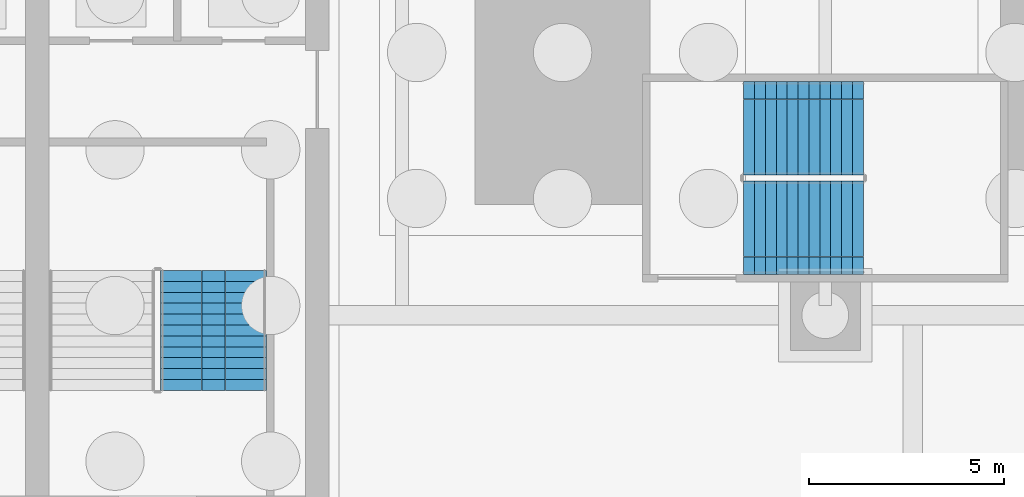
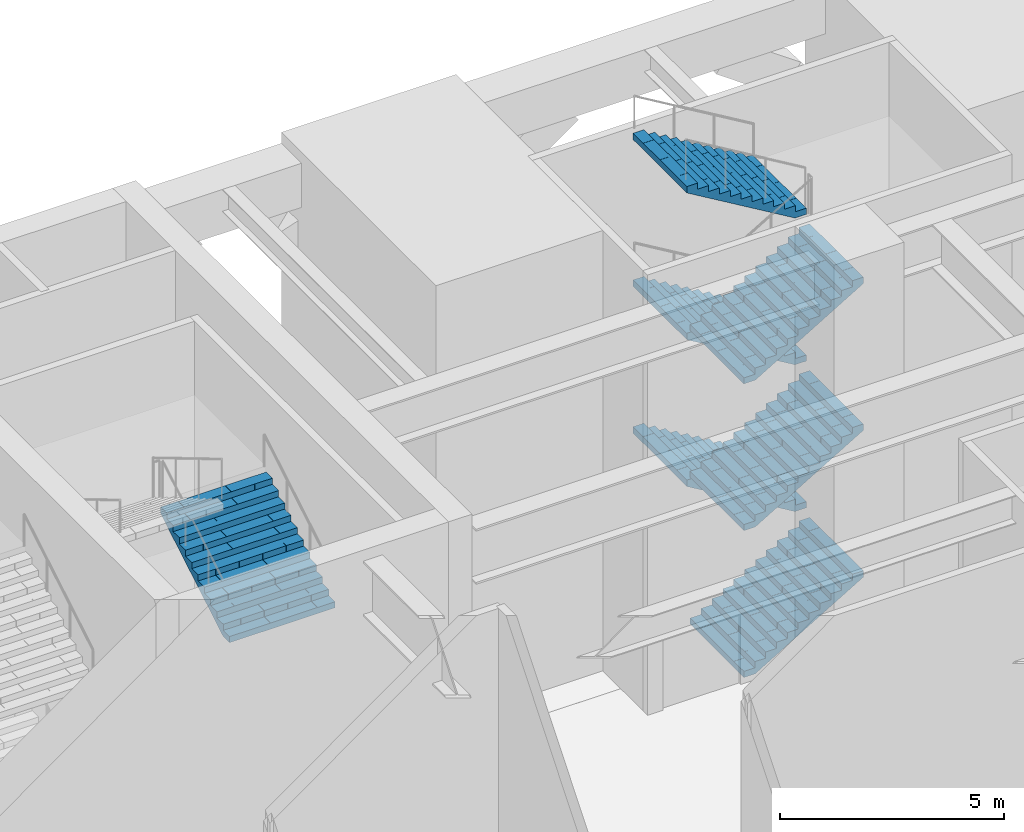
# One storey, part 21 of 34: 7 stair flights, 2 elements without a shape of their own.
"""IFC4 building model written with IfcOpenShell, lengths in metres."""

import ifcopenshell
import ifcopenshell.guid

model = None  # the IFC model being written
_history = None  # IfcOwnerHistory: only IFC2X3 demands one
_inside = {}  # id of a spatial element -> (the spatial element, [elements in it])
_under = {}  # id of a project, library or spatial element -> (it, [spatial elements below it])
_declared = {}  # id of a project -> (the project, [libraries it declares])
_typed = {}  # id of a type object -> (the type object, [elements of that type])
_made_of = {}  # id of a material, layer set ... -> (it, [elements and type objects made of it])


def new_model(schema):
    """Start an empty IFC model of exactly this schema.

    Asked for "IFC4X3", IfcOpenShell would pick the latest addendum, in which some entities
    have other attributes; the version numbers below select the first issue.
    IFC2X3 requires an IfcOwnerHistory on every rooted entity: one is made here for all.
    """
    global model, _history
    if schema == "IFC4X3":
        model = ifcopenshell.file(schema_version=(4, 3, 0, 0))
    else:
        model = ifcopenshell.file(schema=schema)
    _inside.clear()
    _under.clear()
    _declared.clear()
    _typed.clear()
    _made_of.clear()
    _history = None
    if model.schema == "IFC2X3":
        org = make("IfcOrganization", Name="unknown")
        user = make(
            "IfcPersonAndOrganization",
            ThePerson=make("IfcPerson", FamilyName="unknown"),
            TheOrganization=org,
        )
        app = make(
            "IfcApplication",
            ApplicationDeveloper=org,
            Version="unknown",
            ApplicationFullName="unknown",
            ApplicationIdentifier="unknown",
        )
        _history = make(
            "IfcOwnerHistory",
            OwningUser=user,
            OwningApplication=app,
            ChangeAction="ADDED",
            CreationDate=0,
        )
    return model


def make(cls, **values):
    """One entity of the class cls with the attributes given. An attribute that is None is left unset."""
    return model.create_entity(
        cls, **{name: value for name, value in values.items() if value is not None}
    )


def rooted(cls, **values):
    """An entity with a GlobalId (a new one), such as an element, a storey or a relation."""
    return make(cls, GlobalId=ifcopenshell.guid.new(), OwnerHistory=_history, **values)


def si_unit(unit_type, name, prefix=None):
    """IfcSIUnit, for example si_unit("LENGTHUNIT", "METRE", prefix="MILLI")."""
    return make("IfcSIUnit", UnitType=unit_type, Prefix=prefix, Name=name)


def assignment(units):
    """IfcUnitAssignment: the units of a project."""
    return None if units is None else make("IfcUnitAssignment", Units=units)


def point(xyz):
    """IfcCartesianPoint."""
    return None if xyz is None else make("IfcCartesianPoint", Coordinates=xyz)


def direction(xyz):
    """IfcDirection."""
    return None if xyz is None else make("IfcDirection", DirectionRatios=xyz)


def frame(location, z_axis=None, x_axis=None):
    """IfcAxis2Placement3D, a coordinate frame: its origin and axes. An axis left out is left unset."""
    return make(
        "IfcAxis2Placement3D",
        Location=point(location),
        Axis=direction(z_axis),
        RefDirection=direction(x_axis),
    )


def origin():
    """The frame at (0, 0, 0) with its axes left unset."""
    return frame((0.0, 0.0, 0.0))


def place(relative_to, where):
    """IfcLocalPlacement: puts the frame where relative to a parent placement (None: the world)."""
    return make(
        "IfcLocalPlacement", PlacementRelTo=relative_to, RelativePlacement=where
    )


def context(
    kind, dimensions, precision=None, world=None, true_north=None, identifier=None
):
    """IfcGeometricRepresentationContext, for example the 3D "Model" context."""
    return make(
        "IfcGeometricRepresentationContext",
        ContextIdentifier=identifier,
        ContextType=kind,
        CoordinateSpaceDimension=dimensions,
        Precision=precision,
        WorldCoordinateSystem=world,
        TrueNorth=true_north,
    )


def subcontext(parent, identifier, kind, view, scale=None):
    """IfcGeometricRepresentationSubContext, for example "Body" below "Model"."""
    return make(
        "IfcGeometricRepresentationSubContext",
        ContextIdentifier=identifier,
        ContextType=kind,
        ParentContext=parent,
        TargetScale=scale,
        TargetView=view,
    )


def project(units=None, contexts=None):
    """IfcProject with its units and contexts."""
    return rooted(
        "IfcProject",
        Name="project",
        RepresentationContexts=contexts,
        UnitsInContext=assignment(units),
    )


def spatial(cls, under=None, at=None, **own):
    """A site, building, storey or space (cls), placed at a placement, below another one or the project."""
    s = rooted(cls, ObjectPlacement=at, **own)
    if under is not None:
        _under.setdefault(under.id(), (under, []))[1].append(s)
    return s


def polyline(points):
    """IfcPolyline through the points."""
    return make("IfcPolyline", Points=[point(p) for p in points])


def outline(outer, holes=None, kind="AREA"):
    """IfcArbitraryClosedProfileDef: a profile drawn as a closed curve; with holes, ...WithVoids."""
    if holes is None:
        return make("IfcArbitraryClosedProfileDef", ProfileType=kind, OuterCurve=outer)
    return make(
        "IfcArbitraryProfileDefWithVoids",
        ProfileType=kind,
        OuterCurve=outer,
        InnerCurves=holes,
    )


def extrude(swept, where, along, depth):
    """IfcExtrudedAreaSolid: the profile swept, set in the frame where, extruded along a direction by depth."""
    return make(
        "IfcExtrudedAreaSolid",
        SweptArea=swept,
        Position=where,
        ExtrudedDirection=direction(along),
        Depth=depth,
    )


def shape(context_of_items, identifier, shape_type, items):
    """IfcShapeRepresentation: the items that make up one representation, for example the "Body"."""
    return make(
        "IfcShapeRepresentation",
        ContextOfItems=context_of_items,
        RepresentationIdentifier=identifier,
        RepresentationType=shape_type,
        Items=items,
    )


def material(Name=None, Category=None):
    """IfcMaterial."""
    return make("IfcMaterial", Name=Name, Category=Category)


def made_of(thing, what):
    """Note that an element or type object is made of a material, layer set ...; save() writes the relation."""
    if what is not None:
        _made_of.setdefault(what.id(), (what, []))[1].append(thing)
    return thing


def type_object(cls, material=None, **own):
    """A type object (cls), such as IfcWallType, which elements share."""
    return made_of(rooted(cls, **own), material)


def element(
    cls,
    number,
    at=None,
    inside=None,
    cuts=None,
    type_object=None,
    material=None,
    context=None,
    identifier="Body",
    shape_type=None,
    held_by="IfcProductDefinitionShape",
    body=None,
    shapes=None,
    **own,
):
    """One element of the class cls, such as IfcWall. Its Tag is "e" and its number.

    at: its placement. inside: the storey or other place that contains it. cuts: it is an
    opening in that element (IfcRelVoidsElement). A single representation is given by context,
    identifier, shape_type and body (its items); several are given by shapes. held_by: the class
    of the entity that holds the representations. save() writes the other relations.
    """
    e = rooted(cls, Tag="e%d" % number, ObjectPlacement=at, **own)
    if body is not None:
        shapes = [shape(context, identifier, shape_type, body)]
    if shapes is not None:
        e.Representation = make(held_by, Representations=shapes)
    if inside is not None:
        _inside.setdefault(inside.id(), (inside, []))[1].append(e)
    if cuts is not None:
        rooted(
            "IfcRelVoidsElement", RelatingBuildingElement=cuts, RelatedOpeningElement=e
        )
    if type_object is not None:
        _typed.setdefault(type_object.id(), (type_object, []))[1].append(e)
    return made_of(e, material)


def aggregate(whole, parts):
    """IfcRelAggregates: a whole, such as a stair, and the parts it consists of."""
    return rooted("IfcRelAggregates", RelatingObject=whole, RelatedObjects=parts)


def save(model, path):
    """Write the relations noted so far, then the file.

    IfcRelAggregates (storeys below a building ...), IfcRelContainedInSpatialStructure (elements
    in a storey), IfcRelDefinesByType, IfcRelAssociatesMaterial and IfcRelDeclares: one each for
    every whole, place, type object, material and project.
    """
    for whole, parts in _under.values():
        aggregate(whole, parts)
    for where, things in _inside.values():
        rooted(
            "IfcRelContainedInSpatialStructure",
            RelatedElements=things,
            RelatingStructure=where,
        )
    for kind, things in _typed.values():
        rooted("IfcRelDefinesByType", RelatedObjects=things, RelatingType=kind)
    for what, things in _made_of.values():
        rooted("IfcRelAssociatesMaterial", RelatedObjects=things, RelatingMaterial=what)
    for by, libraries in _declared.values():
        rooted("IfcRelDeclares", RelatingContext=by, RelatedDefinitions=libraries)
    model.write(path)


model = new_model("IFC4")

# Units and contexts
model_context = context("Model", 3, precision=1e-05, world=origin(), true_north=direction((0.0, 1.0)))
body_context = subcontext(model_context, "Body", "Model", "MODEL_VIEW")
ifc_project = project(units=[si_unit("LENGTHUNIT", "METRE"), si_unit("AREAUNIT", "SQUARE_METRE"), si_unit("VOLUMEUNIT", "CUBIC_METRE"), si_unit("PLANEANGLEUNIT", "RADIAN"), si_unit("MASSUNIT", "GRAM", prefix="KILO")], contexts=[model_context])

# Site, building, storey
site_placement = place(None, origin())
site = spatial("IfcSite", under=ifc_project, at=site_placement, CompositionType="ELEMENT")
building_placement = place(site_placement, origin())
building = spatial("IfcBuilding", under=site, at=building_placement, Name="Corbelhall Arena Tower", CompositionType="ELEMENT")
storey_placement = place(building_placement, origin())
storey = spatial("IfcBuildingStorey", under=building, at=storey_placement, Name="L00", CompositionType="ELEMENT", Elevation=0.0)

# Stair, stair flights
ifc_material = material(Name="Reinforced concrete C40/50", Category="concrete")
stair_type = type_object("IfcStairType", Name="AR-EXIT-STAIR", PredefinedType="HALF_TURN_STAIR", material=ifc_material)
stair_1_placement = place(storey_placement, origin())
stair_1 = element("IfcStair", 1, at=stair_1_placement, inside=storey, type_object=stair_type, Name="L00 exit stair AS9", PredefinedType="HALF_TURN_STAIR")
stair_flight_type = type_object("IfcStairFlightType", Name="AR-EXIT-FLIGHT", PredefinedType="STRAIGHT", material=ifc_material)
stair_flight_1_placement = place(storey_placement, frame((-22.35009765625, 31.5, 0.0), z_axis=(0.0, 0.0, 1.0), x_axis=(1.0, 0.0, 0.0)))
stair_flight_1 = element("IfcStairFlight", 2, at=stair_flight_1_placement, type_object=stair_flight_type, Name="AS9 flight 1", NumberOfRisers=12, NumberOfTreads=11, PredefinedType="STRAIGHT", RiserHeight=0.166666667, TreadLength=0.28, context=body_context, shape_type="SweptSolid", body=[
    extrude(outline(polyline([(0.0, 0.0), (0.0, 0.166748046875), (0.280029296875, 0.166748046875), (0.280029296875, 0.333251953125), (0.56005859375, 0.333251953125), (0.56005859375, 0.5), (0.840087890625, 0.5), (0.840087890625, 0.666748046875), (1.1201171875, 0.666748046875), (1.1201171875, 0.833251953125), (1.39990234375, 0.833251953125), (1.39990234375, 1.0), (1.679931640625, 1.0), (1.679931640625, 1.166748046875), (1.9599609375, 1.166748046875), (1.9599609375, 1.333251953125), (2.239990234375, 1.333251953125), (2.239990234375, 1.5), (2.52001953125, 1.5), (2.52001953125, 1.666748046875), (2.800048828125, 1.666748046875), (2.800048828125, 1.833251953125), (3.080078125, 1.833251953125), (3.080078125, 2.0), (3.080078125, 1.658935546875), (0.29296875, 0.0), (0.0, 0.0)])), frame((0.0, 1.199951171875, 0.0), z_axis=(0.0, -1.0, 0.0), x_axis=(1.0, 0.0, 0.0)), (0.0, 0.0, 1.0), 0.449951171875),
    extrude(outline(polyline([(0.0, 0.0), (0.0, 0.166748046875), (0.280029296875, 0.166748046875), (0.280029296875, 0.333251953125), (0.56005859375, 0.333251953125), (0.56005859375, 0.5), (0.840087890625, 0.5), (0.840087890625, 0.666748046875), (1.1201171875, 0.666748046875), (1.1201171875, 0.833251953125), (1.39990234375, 0.833251953125), (1.39990234375, 1.0), (1.679931640625, 1.0), (1.679931640625, 1.166748046875), (1.9599609375, 1.166748046875), (1.9599609375, 1.333251953125), (2.239990234375, 1.333251953125), (2.239990234375, 1.5), (2.52001953125, 1.5), (2.52001953125, 1.666748046875), (2.800048828125, 1.666748046875), (2.800048828125, 1.833251953125), (3.080078125, 1.833251953125), (3.080078125, 2.0), (3.080078125, 1.658935546875), (0.29296875, 0.0), (0.0, 0.0)])), frame((0.0, 0.745849609375, 0.0), z_axis=(0.0, -1.0, 0.0), x_axis=(1.0, 0.0, 0.0)), (0.0, 0.0, 1.0), 0.743896484375),
    extrude(outline(polyline([(0.0, 0.0), (0.0, 0.166748046875), (0.280029296875, 0.166748046875), (0.280029296875, 0.333251953125), (0.56005859375, 0.333251953125), (0.56005859375, 0.5), (0.840087890625, 0.5), (0.840087890625, 0.666748046875), (1.1201171875, 0.666748046875), (1.1201171875, 0.833251953125), (1.39990234375, 0.833251953125), (1.39990234375, 1.0), (1.679931640625, 1.0), (1.679931640625, 1.166748046875), (1.9599609375, 1.166748046875), (1.9599609375, 1.333251953125), (2.239990234375, 1.333251953125), (2.239990234375, 1.5), (2.52001953125, 1.5), (2.52001953125, 1.666748046875), (2.800048828125, 1.666748046875), (2.800048828125, 1.833251953125), (3.080078125, 1.833251953125), (3.080078125, 2.0), (3.080078125, 1.658935546875), (0.29296875, 0.0), (0.0, 0.0)])), frame((0.0, -0.001953125, 0.0), z_axis=(0.0, -1.0, 0.0), x_axis=(1.0, 0.0, 0.0)), (0.0, 0.0, 1.0), 0.743896484375),
    extrude(outline(polyline([(0.0, 0.0), (0.0, 0.166748046875), (0.280029296875, 0.166748046875), (0.280029296875, 0.333251953125), (0.56005859375, 0.333251953125), (0.56005859375, 0.5), (0.840087890625, 0.5), (0.840087890625, 0.666748046875), (1.1201171875, 0.666748046875), (1.1201171875, 0.833251953125), (1.39990234375, 0.833251953125), (1.39990234375, 1.0), (1.679931640625, 1.0), (1.679931640625, 1.166748046875), (1.9599609375, 1.166748046875), (1.9599609375, 1.333251953125), (2.239990234375, 1.333251953125), (2.239990234375, 1.5), (2.52001953125, 1.5), (2.52001953125, 1.666748046875), (2.800048828125, 1.666748046875), (2.800048828125, 1.833251953125), (3.080078125, 1.833251953125), (3.080078125, 2.0), (3.080078125, 1.658935546875), (0.29296875, 0.0), (0.0, 0.0)])), frame((0.0, -0.75, 0.0), z_axis=(0.0, -1.0, 0.0), x_axis=(1.0, 0.0, 0.0)), (0.0, 0.0, 1.0), 0.449951171875),
])
stair_flight_2_placement = place(storey_placement, frame((-19.27001953125, 34.050048828125, 2.0), z_axis=(0.0, 0.0, 1.0), x_axis=(-1.0, 0.0, 0.0)))
stair_flight_2 = element("IfcStairFlight", 3, at=stair_flight_2_placement, type_object=stair_flight_type, Name="AS9 flight 2", NumberOfRisers=12, NumberOfTreads=11, PredefinedType="STRAIGHT", RiserHeight=0.166666667, TreadLength=0.28, context=body_context, shape_type="SweptSolid", body=[
    extrude(outline(polyline([(0.0, 0.0), (0.0, 0.166748046875), (0.280029296875, 0.166748046875), (0.280029296875, 0.333251953125), (0.56005859375, 0.333251953125), (0.56005859375, 0.5), (0.840087890625, 0.5), (0.840087890625, 0.666748046875), (1.1201171875, 0.666748046875), (1.1201171875, 0.833251953125), (1.39990234375, 0.833251953125), (1.39990234375, 1.0), (1.679931640625, 1.0), (1.679931640625, 1.166748046875), (1.9599609375, 1.166748046875), (1.9599609375, 1.333251953125), (2.239990234375, 1.333251953125), (2.239990234375, 1.5), (2.52001953125, 1.5), (2.52001953125, 1.666748046875), (2.800048828125, 1.666748046875), (2.800048828125, 1.833251953125), (3.080078125, 1.833251953125), (3.080078125, 2.0), (3.080078125, 1.658935546875), (0.29296875, 0.0), (0.0, 0.0)])), frame((0.0, 1.199951171875, 0.0), z_axis=(0.0, -1.0, 0.0), x_axis=(1.0, 0.0, 0.0)), (0.0, 0.0, 1.0), 0.449951171875),
    extrude(outline(polyline([(0.0, 0.0), (0.0, 0.166748046875), (0.280029296875, 0.166748046875), (0.280029296875, 0.333251953125), (0.56005859375, 0.333251953125), (0.56005859375, 0.5), (0.840087890625, 0.5), (0.840087890625, 0.666748046875), (1.1201171875, 0.666748046875), (1.1201171875, 0.833251953125), (1.39990234375, 0.833251953125), (1.39990234375, 1.0), (1.679931640625, 1.0), (1.679931640625, 1.166748046875), (1.9599609375, 1.166748046875), (1.9599609375, 1.333251953125), (2.239990234375, 1.333251953125), (2.239990234375, 1.5), (2.52001953125, 1.5), (2.52001953125, 1.666748046875), (2.800048828125, 1.666748046875), (2.800048828125, 1.833251953125), (3.080078125, 1.833251953125), (3.080078125, 2.0), (3.080078125, 1.658935546875), (0.29296875, 0.0), (0.0, 0.0)])), frame((0.0, 0.745849609375, 0.0), z_axis=(0.0, -1.0, 0.0), x_axis=(1.0, 0.0, 0.0)), (0.0, 0.0, 1.0), 0.743896484375),
    extrude(outline(polyline([(0.0, 0.0), (0.0, 0.166748046875), (0.280029296875, 0.166748046875), (0.280029296875, 0.333251953125), (0.56005859375, 0.333251953125), (0.56005859375, 0.5), (0.840087890625, 0.5), (0.840087890625, 0.666748046875), (1.1201171875, 0.666748046875), (1.1201171875, 0.833251953125), (1.39990234375, 0.833251953125), (1.39990234375, 1.0), (1.679931640625, 1.0), (1.679931640625, 1.166748046875), (1.9599609375, 1.166748046875), (1.9599609375, 1.333251953125), (2.239990234375, 1.333251953125), (2.239990234375, 1.5), (2.52001953125, 1.5), (2.52001953125, 1.666748046875), (2.800048828125, 1.666748046875), (2.800048828125, 1.833251953125), (3.080078125, 1.833251953125), (3.080078125, 2.0), (3.080078125, 1.658935546875), (0.29296875, 0.0), (0.0, 0.0)])), frame((0.0, -0.001953125, 0.0), z_axis=(0.0, -1.0, 0.0), x_axis=(1.0, 0.0, 0.0)), (0.0, 0.0, 1.0), 0.743896484375),
    extrude(outline(polyline([(0.0, 0.0), (0.0, 0.166748046875), (0.280029296875, 0.166748046875), (0.280029296875, 0.333251953125), (0.56005859375, 0.333251953125), (0.56005859375, 0.5), (0.840087890625, 0.5), (0.840087890625, 0.666748046875), (1.1201171875, 0.666748046875), (1.1201171875, 0.833251953125), (1.39990234375, 0.833251953125), (1.39990234375, 1.0), (1.679931640625, 1.0), (1.679931640625, 1.166748046875), (1.9599609375, 1.166748046875), (1.9599609375, 1.333251953125), (2.239990234375, 1.333251953125), (2.239990234375, 1.5), (2.52001953125, 1.5), (2.52001953125, 1.666748046875), (2.800048828125, 1.666748046875), (2.800048828125, 1.833251953125), (3.080078125, 1.833251953125), (3.080078125, 2.0), (3.080078125, 1.658935546875), (0.29296875, 0.0), (0.0, 0.0)])), frame((0.0, -0.75, 0.0), z_axis=(0.0, -1.0, 0.0), x_axis=(1.0, 0.0, 0.0)), (0.0, 0.0, 1.0), 0.449951171875),
])
stair_flight_3_placement = place(storey_placement, frame((-22.35009765625, 31.5, 4.0), z_axis=(0.0, 0.0, 1.0), x_axis=(1.0, 0.0, 0.0)))
stair_flight_3 = element("IfcStairFlight", 4, at=stair_flight_3_placement, type_object=stair_flight_type, Name="AS9 flight 3", NumberOfRisers=12, NumberOfTreads=11, PredefinedType="STRAIGHT", RiserHeight=0.166666667, TreadLength=0.28, context=body_context, shape_type="SweptSolid", body=[
    extrude(outline(polyline([(0.0, 0.0), (0.0, 0.166748046875), (0.280029296875, 0.166748046875), (0.280029296875, 0.333251953125), (0.56005859375, 0.333251953125), (0.56005859375, 0.5), (0.840087890625, 0.5), (0.840087890625, 0.666748046875), (1.1201171875, 0.666748046875), (1.1201171875, 0.833251953125), (1.39990234375, 0.833251953125), (1.39990234375, 1.0), (1.679931640625, 1.0), (1.679931640625, 1.166748046875), (1.9599609375, 1.166748046875), (1.9599609375, 1.333251953125), (2.239990234375, 1.333251953125), (2.239990234375, 1.5), (2.52001953125, 1.5), (2.52001953125, 1.666748046875), (2.800048828125, 1.666748046875), (2.800048828125, 1.833251953125), (3.080078125, 1.833251953125), (3.080078125, 2.0), (3.080078125, 1.658935546875), (0.29296875, 0.0), (0.0, 0.0)])), frame((0.0, 1.199951171875, 0.0), z_axis=(0.0, -1.0, 0.0), x_axis=(1.0, 0.0, 0.0)), (0.0, 0.0, 1.0), 0.449951171875),
    extrude(outline(polyline([(0.0, 0.0), (0.0, 0.166748046875), (0.280029296875, 0.166748046875), (0.280029296875, 0.333251953125), (0.56005859375, 0.333251953125), (0.56005859375, 0.5), (0.840087890625, 0.5), (0.840087890625, 0.666748046875), (1.1201171875, 0.666748046875), (1.1201171875, 0.833251953125), (1.39990234375, 0.833251953125), (1.39990234375, 1.0), (1.679931640625, 1.0), (1.679931640625, 1.166748046875), (1.9599609375, 1.166748046875), (1.9599609375, 1.333251953125), (2.239990234375, 1.333251953125), (2.239990234375, 1.5), (2.52001953125, 1.5), (2.52001953125, 1.666748046875), (2.800048828125, 1.666748046875), (2.800048828125, 1.833251953125), (3.080078125, 1.833251953125), (3.080078125, 2.0), (3.080078125, 1.658935546875), (0.29296875, 0.0), (0.0, 0.0)])), frame((0.0, 0.745849609375, 0.0), z_axis=(0.0, -1.0, 0.0), x_axis=(1.0, 0.0, 0.0)), (0.0, 0.0, 1.0), 0.743896484375),
    extrude(outline(polyline([(0.0, 0.0), (0.0, 0.166748046875), (0.280029296875, 0.166748046875), (0.280029296875, 0.333251953125), (0.56005859375, 0.333251953125), (0.56005859375, 0.5), (0.840087890625, 0.5), (0.840087890625, 0.666748046875), (1.1201171875, 0.666748046875), (1.1201171875, 0.833251953125), (1.39990234375, 0.833251953125), (1.39990234375, 1.0), (1.679931640625, 1.0), (1.679931640625, 1.166748046875), (1.9599609375, 1.166748046875), (1.9599609375, 1.333251953125), (2.239990234375, 1.333251953125), (2.239990234375, 1.5), (2.52001953125, 1.5), (2.52001953125, 1.666748046875), (2.800048828125, 1.666748046875), (2.800048828125, 1.833251953125), (3.080078125, 1.833251953125), (3.080078125, 2.0), (3.080078125, 1.658935546875), (0.29296875, 0.0), (0.0, 0.0)])), frame((0.0, -0.001953125, 0.0), z_axis=(0.0, -1.0, 0.0), x_axis=(1.0, 0.0, 0.0)), (0.0, 0.0, 1.0), 0.743896484375),
    extrude(outline(polyline([(0.0, 0.0), (0.0, 0.166748046875), (0.280029296875, 0.166748046875), (0.280029296875, 0.333251953125), (0.56005859375, 0.333251953125), (0.56005859375, 0.5), (0.840087890625, 0.5), (0.840087890625, 0.666748046875), (1.1201171875, 0.666748046875), (1.1201171875, 0.833251953125), (1.39990234375, 0.833251953125), (1.39990234375, 1.0), (1.679931640625, 1.0), (1.679931640625, 1.166748046875), (1.9599609375, 1.166748046875), (1.9599609375, 1.333251953125), (2.239990234375, 1.333251953125), (2.239990234375, 1.5), (2.52001953125, 1.5), (2.52001953125, 1.666748046875), (2.800048828125, 1.666748046875), (2.800048828125, 1.833251953125), (3.080078125, 1.833251953125), (3.080078125, 2.0), (3.080078125, 1.658935546875), (0.29296875, 0.0), (0.0, 0.0)])), frame((0.0, -0.75, 0.0), z_axis=(0.0, -1.0, 0.0), x_axis=(1.0, 0.0, 0.0)), (0.0, 0.0, 1.0), 0.449951171875),
])
stair_flight_4_placement = place(storey_placement, frame((-19.27001953125, 34.050048828125, 6.0), z_axis=(0.0, 0.0, 1.0), x_axis=(-1.0, 0.0, 0.0)))
stair_flight_4 = element("IfcStairFlight", 5, at=stair_flight_4_placement, type_object=stair_flight_type, Name="AS9 flight 4", NumberOfRisers=12, NumberOfTreads=11, PredefinedType="STRAIGHT", RiserHeight=0.166666667, TreadLength=0.28, context=body_context, shape_type="SweptSolid", body=[
    extrude(outline(polyline([(0.0, 0.0), (0.0, 0.166748046875), (0.280029296875, 0.166748046875), (0.280029296875, 0.333251953125), (0.56005859375, 0.333251953125), (0.56005859375, 0.5), (0.840087890625, 0.5), (0.840087890625, 0.666748046875), (1.1201171875, 0.666748046875), (1.1201171875, 0.833251953125), (1.39990234375, 0.833251953125), (1.39990234375, 1.0), (1.679931640625, 1.0), (1.679931640625, 1.166748046875), (1.9599609375, 1.166748046875), (1.9599609375, 1.333251953125), (2.239990234375, 1.333251953125), (2.239990234375, 1.5), (2.52001953125, 1.5), (2.52001953125, 1.666748046875), (2.800048828125, 1.666748046875), (2.800048828125, 1.833251953125), (3.080078125, 1.833251953125), (3.080078125, 2.0), (3.080078125, 1.658935546875), (0.29296875, 0.0), (0.0, 0.0)])), frame((0.0, 1.199951171875, 0.0), z_axis=(0.0, -1.0, 0.0), x_axis=(1.0, 0.0, 0.0)), (0.0, 0.0, 1.0), 0.449951171875),
    extrude(outline(polyline([(0.0, 0.0), (0.0, 0.166748046875), (0.280029296875, 0.166748046875), (0.280029296875, 0.333251953125), (0.56005859375, 0.333251953125), (0.56005859375, 0.5), (0.840087890625, 0.5), (0.840087890625, 0.666748046875), (1.1201171875, 0.666748046875), (1.1201171875, 0.833251953125), (1.39990234375, 0.833251953125), (1.39990234375, 1.0), (1.679931640625, 1.0), (1.679931640625, 1.166748046875), (1.9599609375, 1.166748046875), (1.9599609375, 1.333251953125), (2.239990234375, 1.333251953125), (2.239990234375, 1.5), (2.52001953125, 1.5), (2.52001953125, 1.666748046875), (2.800048828125, 1.666748046875), (2.800048828125, 1.833251953125), (3.080078125, 1.833251953125), (3.080078125, 2.0), (3.080078125, 1.658935546875), (0.29296875, 0.0), (0.0, 0.0)])), frame((0.0, 0.745849609375, 0.0), z_axis=(0.0, -1.0, 0.0), x_axis=(1.0, 0.0, 0.0)), (0.0, 0.0, 1.0), 0.743896484375),
    extrude(outline(polyline([(0.0, 0.0), (0.0, 0.166748046875), (0.280029296875, 0.166748046875), (0.280029296875, 0.333251953125), (0.56005859375, 0.333251953125), (0.56005859375, 0.5), (0.840087890625, 0.5), (0.840087890625, 0.666748046875), (1.1201171875, 0.666748046875), (1.1201171875, 0.833251953125), (1.39990234375, 0.833251953125), (1.39990234375, 1.0), (1.679931640625, 1.0), (1.679931640625, 1.166748046875), (1.9599609375, 1.166748046875), (1.9599609375, 1.333251953125), (2.239990234375, 1.333251953125), (2.239990234375, 1.5), (2.52001953125, 1.5), (2.52001953125, 1.666748046875), (2.800048828125, 1.666748046875), (2.800048828125, 1.833251953125), (3.080078125, 1.833251953125), (3.080078125, 2.0), (3.080078125, 1.658935546875), (0.29296875, 0.0), (0.0, 0.0)])), frame((0.0, -0.001953125, 0.0), z_axis=(0.0, -1.0, 0.0), x_axis=(1.0, 0.0, 0.0)), (0.0, 0.0, 1.0), 0.743896484375),
    extrude(outline(polyline([(0.0, 0.0), (0.0, 0.166748046875), (0.280029296875, 0.166748046875), (0.280029296875, 0.333251953125), (0.56005859375, 0.333251953125), (0.56005859375, 0.5), (0.840087890625, 0.5), (0.840087890625, 0.666748046875), (1.1201171875, 0.666748046875), (1.1201171875, 0.833251953125), (1.39990234375, 0.833251953125), (1.39990234375, 1.0), (1.679931640625, 1.0), (1.679931640625, 1.166748046875), (1.9599609375, 1.166748046875), (1.9599609375, 1.333251953125), (2.239990234375, 1.333251953125), (2.239990234375, 1.5), (2.52001953125, 1.5), (2.52001953125, 1.666748046875), (2.800048828125, 1.666748046875), (2.800048828125, 1.833251953125), (3.080078125, 1.833251953125), (3.080078125, 2.0), (3.080078125, 1.658935546875), (0.29296875, 0.0), (0.0, 0.0)])), frame((0.0, -0.75, 0.0), z_axis=(0.0, -1.0, 0.0), x_axis=(1.0, 0.0, 0.0)), (0.0, 0.0, 1.0), 0.449951171875),
])
stair_flight_5_placement = place(storey_placement, frame((-22.35009765625, 31.5, 8.0), z_axis=(0.0, 0.0, 1.0), x_axis=(1.0, 0.0, 0.0)))
stair_flight_5 = element("IfcStairFlight", 6, at=stair_flight_5_placement, type_object=stair_flight_type, Name="AS9 flight 5", NumberOfRisers=12, NumberOfTreads=11, PredefinedType="STRAIGHT", RiserHeight=0.166666667, TreadLength=0.28, context=body_context, shape_type="SweptSolid", body=[
    extrude(outline(polyline([(0.0, 0.0), (0.0, 0.166748046875), (0.280029296875, 0.166748046875), (0.280029296875, 0.333251953125), (0.56005859375, 0.333251953125), (0.56005859375, 0.5), (0.840087890625, 0.5), (0.840087890625, 0.666748046875), (1.1201171875, 0.666748046875), (1.1201171875, 0.833251953125), (1.39990234375, 0.833251953125), (1.39990234375, 1.0), (1.679931640625, 1.0), (1.679931640625, 1.166748046875), (1.9599609375, 1.166748046875), (1.9599609375, 1.333251953125), (2.239990234375, 1.333251953125), (2.239990234375, 1.5), (2.52001953125, 1.5), (2.52001953125, 1.666748046875), (2.800048828125, 1.666748046875), (2.800048828125, 1.833251953125), (3.080078125, 1.833251953125), (3.080078125, 2.0), (3.080078125, 1.658935546875), (0.29296875, 0.0), (0.0, 0.0)])), frame((0.0, 1.199951171875, 0.0), z_axis=(0.0, -1.0, 0.0), x_axis=(1.0, 0.0, 0.0)), (0.0, 0.0, 1.0), 0.449951171875),
    extrude(outline(polyline([(0.0, 0.0), (0.0, 0.166748046875), (0.280029296875, 0.166748046875), (0.280029296875, 0.333251953125), (0.56005859375, 0.333251953125), (0.56005859375, 0.5), (0.840087890625, 0.5), (0.840087890625, 0.666748046875), (1.1201171875, 0.666748046875), (1.1201171875, 0.833251953125), (1.39990234375, 0.833251953125), (1.39990234375, 1.0), (1.679931640625, 1.0), (1.679931640625, 1.166748046875), (1.9599609375, 1.166748046875), (1.9599609375, 1.333251953125), (2.239990234375, 1.333251953125), (2.239990234375, 1.5), (2.52001953125, 1.5), (2.52001953125, 1.666748046875), (2.800048828125, 1.666748046875), (2.800048828125, 1.833251953125), (3.080078125, 1.833251953125), (3.080078125, 2.0), (3.080078125, 1.658935546875), (0.29296875, 0.0), (0.0, 0.0)])), frame((0.0, 0.745849609375, 0.0), z_axis=(0.0, -1.0, 0.0), x_axis=(1.0, 0.0, 0.0)), (0.0, 0.0, 1.0), 0.743896484375),
    extrude(outline(polyline([(0.0, 0.0), (0.0, 0.166748046875), (0.280029296875, 0.166748046875), (0.280029296875, 0.333251953125), (0.56005859375, 0.333251953125), (0.56005859375, 0.5), (0.840087890625, 0.5), (0.840087890625, 0.666748046875), (1.1201171875, 0.666748046875), (1.1201171875, 0.833251953125), (1.39990234375, 0.833251953125), (1.39990234375, 1.0), (1.679931640625, 1.0), (1.679931640625, 1.166748046875), (1.9599609375, 1.166748046875), (1.9599609375, 1.333251953125), (2.239990234375, 1.333251953125), (2.239990234375, 1.5), (2.52001953125, 1.5), (2.52001953125, 1.666748046875), (2.800048828125, 1.666748046875), (2.800048828125, 1.833251953125), (3.080078125, 1.833251953125), (3.080078125, 2.0), (3.080078125, 1.658935546875), (0.29296875, 0.0), (0.0, 0.0)])), frame((0.0, -0.001953125, 0.0), z_axis=(0.0, -1.0, 0.0), x_axis=(1.0, 0.0, 0.0)), (0.0, 0.0, 1.0), 0.743896484375),
    extrude(outline(polyline([(0.0, 0.0), (0.0, 0.166748046875), (0.280029296875, 0.166748046875), (0.280029296875, 0.333251953125), (0.56005859375, 0.333251953125), (0.56005859375, 0.5), (0.840087890625, 0.5), (0.840087890625, 0.666748046875), (1.1201171875, 0.666748046875), (1.1201171875, 0.833251953125), (1.39990234375, 0.833251953125), (1.39990234375, 1.0), (1.679931640625, 1.0), (1.679931640625, 1.166748046875), (1.9599609375, 1.166748046875), (1.9599609375, 1.333251953125), (2.239990234375, 1.333251953125), (2.239990234375, 1.5), (2.52001953125, 1.5), (2.52001953125, 1.666748046875), (2.800048828125, 1.666748046875), (2.800048828125, 1.833251953125), (3.080078125, 1.833251953125), (3.080078125, 2.0), (3.080078125, 1.658935546875), (0.29296875, 0.0), (0.0, 0.0)])), frame((0.0, -0.75, 0.0), z_axis=(0.0, -1.0, 0.0), x_axis=(1.0, 0.0, 0.0)), (0.0, 0.0, 1.0), 0.449951171875),
])
stair_flight_6_placement = place(storey_placement, frame((-19.27001953125, 34.050048828125, 10.0), z_axis=(0.0, 0.0, 1.0), x_axis=(-1.0, 0.0, 0.0)))
stair_flight_6 = element("IfcStairFlight", 7, at=stair_flight_6_placement, type_object=stair_flight_type, Name="AS9 flight 6", NumberOfRisers=12, NumberOfTreads=11, PredefinedType="STRAIGHT", RiserHeight=0.166666667, TreadLength=0.28, context=body_context, shape_type="SweptSolid", body=[
    extrude(outline(polyline([(0.0, 0.0), (0.0, 0.166748046875), (0.280029296875, 0.166748046875), (0.280029296875, 0.333251953125), (0.56005859375, 0.333251953125), (0.56005859375, 0.5), (0.840087890625, 0.5), (0.840087890625, 0.666748046875), (1.1201171875, 0.666748046875), (1.1201171875, 0.833251953125), (1.39990234375, 0.833251953125), (1.39990234375, 1.0), (1.679931640625, 1.0), (1.679931640625, 1.166748046875), (1.9599609375, 1.166748046875), (1.9599609375, 1.333251953125), (2.239990234375, 1.333251953125), (2.239990234375, 1.5), (2.52001953125, 1.5), (2.52001953125, 1.666748046875), (2.800048828125, 1.666748046875), (2.800048828125, 1.833251953125), (3.080078125, 1.833251953125), (3.080078125, 2.0), (3.080078125, 1.658935546875), (0.29296875, 0.0), (0.0, 0.0)])), frame((0.0, 1.199951171875, 0.0), z_axis=(0.0, -1.0, 0.0), x_axis=(1.0, 0.0, 0.0)), (0.0, 0.0, 1.0), 0.449951171875),
    extrude(outline(polyline([(0.0, 0.0), (0.0, 0.166748046875), (0.280029296875, 0.166748046875), (0.280029296875, 0.333251953125), (0.56005859375, 0.333251953125), (0.56005859375, 0.5), (0.840087890625, 0.5), (0.840087890625, 0.666748046875), (1.1201171875, 0.666748046875), (1.1201171875, 0.833251953125), (1.39990234375, 0.833251953125), (1.39990234375, 1.0), (1.679931640625, 1.0), (1.679931640625, 1.166748046875), (1.9599609375, 1.166748046875), (1.9599609375, 1.333251953125), (2.239990234375, 1.333251953125), (2.239990234375, 1.5), (2.52001953125, 1.5), (2.52001953125, 1.666748046875), (2.800048828125, 1.666748046875), (2.800048828125, 1.833251953125), (3.080078125, 1.833251953125), (3.080078125, 2.0), (3.080078125, 1.658935546875), (0.29296875, 0.0), (0.0, 0.0)])), frame((0.0, 0.745849609375, 0.0), z_axis=(0.0, -1.0, 0.0), x_axis=(1.0, 0.0, 0.0)), (0.0, 0.0, 1.0), 0.743896484375),
    extrude(outline(polyline([(0.0, 0.0), (0.0, 0.166748046875), (0.280029296875, 0.166748046875), (0.280029296875, 0.333251953125), (0.56005859375, 0.333251953125), (0.56005859375, 0.5), (0.840087890625, 0.5), (0.840087890625, 0.666748046875), (1.1201171875, 0.666748046875), (1.1201171875, 0.833251953125), (1.39990234375, 0.833251953125), (1.39990234375, 1.0), (1.679931640625, 1.0), (1.679931640625, 1.166748046875), (1.9599609375, 1.166748046875), (1.9599609375, 1.333251953125), (2.239990234375, 1.333251953125), (2.239990234375, 1.5), (2.52001953125, 1.5), (2.52001953125, 1.666748046875), (2.800048828125, 1.666748046875), (2.800048828125, 1.833251953125), (3.080078125, 1.833251953125), (3.080078125, 2.0), (3.080078125, 1.658935546875), (0.29296875, 0.0), (0.0, 0.0)])), frame((0.0, -0.001953125, 0.0), z_axis=(0.0, -1.0, 0.0), x_axis=(1.0, 0.0, 0.0)), (0.0, 0.0, 1.0), 0.743896484375),
    extrude(outline(polyline([(0.0, 0.0), (0.0, 0.166748046875), (0.280029296875, 0.166748046875), (0.280029296875, 0.333251953125), (0.56005859375, 0.333251953125), (0.56005859375, 0.5), (0.840087890625, 0.5), (0.840087890625, 0.666748046875), (1.1201171875, 0.666748046875), (1.1201171875, 0.833251953125), (1.39990234375, 0.833251953125), (1.39990234375, 1.0), (1.679931640625, 1.0), (1.679931640625, 1.166748046875), (1.9599609375, 1.166748046875), (1.9599609375, 1.333251953125), (2.239990234375, 1.333251953125), (2.239990234375, 1.5), (2.52001953125, 1.5), (2.52001953125, 1.666748046875), (2.800048828125, 1.666748046875), (2.800048828125, 1.833251953125), (3.080078125, 1.833251953125), (3.080078125, 2.0), (3.080078125, 1.658935546875), (0.29296875, 0.0), (0.0, 0.0)])), frame((0.0, -0.75, 0.0), z_axis=(0.0, -1.0, 0.0), x_axis=(1.0, 0.0, 0.0)), (0.0, 0.0, 1.0), 0.449951171875),
])
aggregate(stair_1, [stair_flight_1, stair_flight_2, stair_flight_3, stair_flight_4, stair_flight_5, stair_flight_6])

# Stair, stair flight
stair_2_placement = place(storey_placement, origin())
stair_2 = element("IfcStair", 8, at=stair_2_placement, inside=storey, type_object=stair_type, Name="L00 exit stair AS3", PredefinedType="HALF_TURN_STAIR")
stair_flight_7_placement = place(storey_placement, frame((-35.969970703125, 27.320068359375, 8.0), z_axis=(0.0, 0.0, 1.0), x_axis=(0.0, 1.0, 0.0)))
stair_flight_7 = element("IfcStairFlight", 9, at=stair_flight_7_placement, type_object=stair_flight_type, Name="AS3 flight 5", NumberOfRisers=12, NumberOfTreads=11, PredefinedType="STRAIGHT", RiserHeight=0.166666667, TreadLength=0.28, context=body_context, shape_type="SweptSolid", body=[
    extrude(outline(polyline([(0.0, 0.0), (0.0, 0.166748046875), (0.280029296875, 0.166748046875), (0.280029296875, 0.333251953125), (0.56005859375, 0.333251953125), (0.56005859375, 0.5), (0.840087890625, 0.5), (0.840087890625, 0.666748046875), (1.1201171875, 0.666748046875), (1.1201171875, 0.833251953125), (1.39990234375, 0.833251953125), (1.39990234375, 1.0), (1.679931640625, 1.0), (1.679931640625, 1.166748046875), (1.9599609375, 1.166748046875), (1.9599609375, 1.333251953125), (2.239990234375, 1.333251953125), (2.239990234375, 1.5), (2.52001953125, 1.5), (2.52001953125, 1.666748046875), (2.800048828125, 1.666748046875), (2.800048828125, 1.833251953125), (3.080078125, 1.833251953125), (3.080078125, 2.0), (3.080078125, 1.658935546875), (0.29296875, 0.0), (0.0, 0.0)])), frame((0.0, 1.35986328125, 0.0), z_axis=(0.0, -1.0, 0.0), x_axis=(1.0, 0.0, 0.0)), (0.0, 0.0, 1.0), 0.449951171875),
    extrude(outline(polyline([(0.0, 0.0), (0.0, 0.166748046875), (0.280029296875, 0.166748046875), (0.280029296875, 0.333251953125), (0.56005859375, 0.333251953125), (0.56005859375, 0.5), (0.840087890625, 0.5), (0.840087890625, 0.666748046875), (1.1201171875, 0.666748046875), (1.1201171875, 0.833251953125), (1.39990234375, 0.833251953125), (1.39990234375, 1.0), (1.679931640625, 1.0), (1.679931640625, 1.166748046875), (1.9599609375, 1.166748046875), (1.9599609375, 1.333251953125), (2.239990234375, 1.333251953125), (2.239990234375, 1.5), (2.52001953125, 1.5), (2.52001953125, 1.666748046875), (2.800048828125, 1.666748046875), (2.800048828125, 1.833251953125), (3.080078125, 1.833251953125), (3.080078125, 2.0), (3.080078125, 1.658935546875), (0.29296875, 0.0), (0.0, 0.0)])), frame((0.0, 0.906005859375, 0.0), z_axis=(0.0, -1.0, 0.0), x_axis=(1.0, 0.0, 0.0)), (0.0, 0.0, 1.0), 0.601318359375),
    extrude(outline(polyline([(0.0, 0.0), (0.0, 0.166748046875), (0.280029296875, 0.166748046875), (0.280029296875, 0.333251953125), (0.56005859375, 0.333251953125), (0.56005859375, 0.5), (0.840087890625, 0.5), (0.840087890625, 0.666748046875), (1.1201171875, 0.666748046875), (1.1201171875, 0.833251953125), (1.39990234375, 0.833251953125), (1.39990234375, 1.0), (1.679931640625, 1.0), (1.679931640625, 1.166748046875), (1.9599609375, 1.166748046875), (1.9599609375, 1.333251953125), (2.239990234375, 1.333251953125), (2.239990234375, 1.5), (2.52001953125, 1.5), (2.52001953125, 1.666748046875), (2.800048828125, 1.666748046875), (2.800048828125, 1.833251953125), (3.080078125, 1.833251953125), (3.080078125, 2.0), (3.080078125, 1.658935546875), (0.29296875, 0.0), (0.0, 0.0)])), frame((0.0, 0.30078125, 0.0), z_axis=(0.0, -1.0, 0.0), x_axis=(1.0, 0.0, 0.0)), (0.0, 0.0, 1.0), 0.601318359375),
    extrude(outline(polyline([(0.0, 0.0), (0.0, 0.166748046875), (0.280029296875, 0.166748046875), (0.280029296875, 0.333251953125), (0.56005859375, 0.333251953125), (0.56005859375, 0.5), (0.840087890625, 0.5), (0.840087890625, 0.666748046875), (1.1201171875, 0.666748046875), (1.1201171875, 0.833251953125), (1.39990234375, 0.833251953125), (1.39990234375, 1.0), (1.679931640625, 1.0), (1.679931640625, 1.166748046875), (1.9599609375, 1.166748046875), (1.9599609375, 1.333251953125), (2.239990234375, 1.333251953125), (2.239990234375, 1.5), (2.52001953125, 1.5), (2.52001953125, 1.666748046875), (2.800048828125, 1.666748046875), (2.800048828125, 1.833251953125), (3.080078125, 1.833251953125), (3.080078125, 2.0), (3.080078125, 1.658935546875), (0.29296875, 0.0), (0.0, 0.0)])), frame((0.0, -0.3046875, 0.0), z_axis=(0.0, -1.0, 0.0), x_axis=(1.0, 0.0, 0.0)), (0.0, 0.0, 1.0), 0.601318359375),
    extrude(outline(polyline([(0.0, 0.0), (0.0, 0.166748046875), (0.280029296875, 0.166748046875), (0.280029296875, 0.333251953125), (0.56005859375, 0.333251953125), (0.56005859375, 0.5), (0.840087890625, 0.5), (0.840087890625, 0.666748046875), (1.1201171875, 0.666748046875), (1.1201171875, 0.833251953125), (1.39990234375, 0.833251953125), (1.39990234375, 1.0), (1.679931640625, 1.0), (1.679931640625, 1.166748046875), (1.9599609375, 1.166748046875), (1.9599609375, 1.333251953125), (2.239990234375, 1.333251953125), (2.239990234375, 1.5), (2.52001953125, 1.5), (2.52001953125, 1.666748046875), (2.800048828125, 1.666748046875), (2.800048828125, 1.833251953125), (3.080078125, 1.833251953125), (3.080078125, 2.0), (3.080078125, 1.658935546875), (0.29296875, 0.0), (0.0, 0.0)])), frame((0.0, -0.909912109375, 0.0), z_axis=(0.0, -1.0, 0.0), x_axis=(1.0, 0.0, 0.0)), (0.0, 0.0, 1.0), 0.449951171875),
])
aggregate(stair_2, [stair_flight_7])

save(model, "model.ifc")
